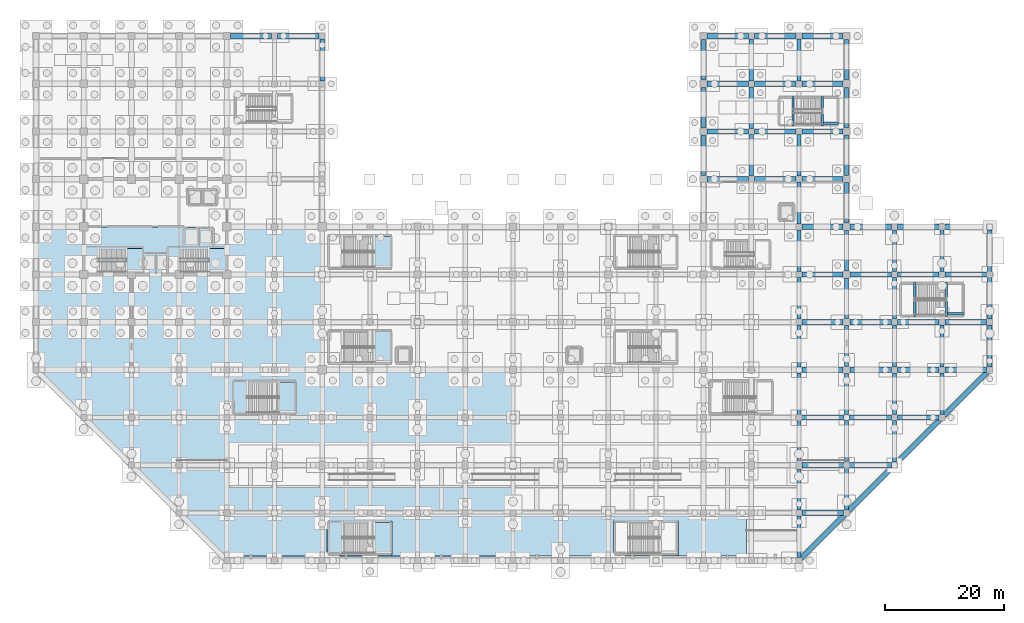
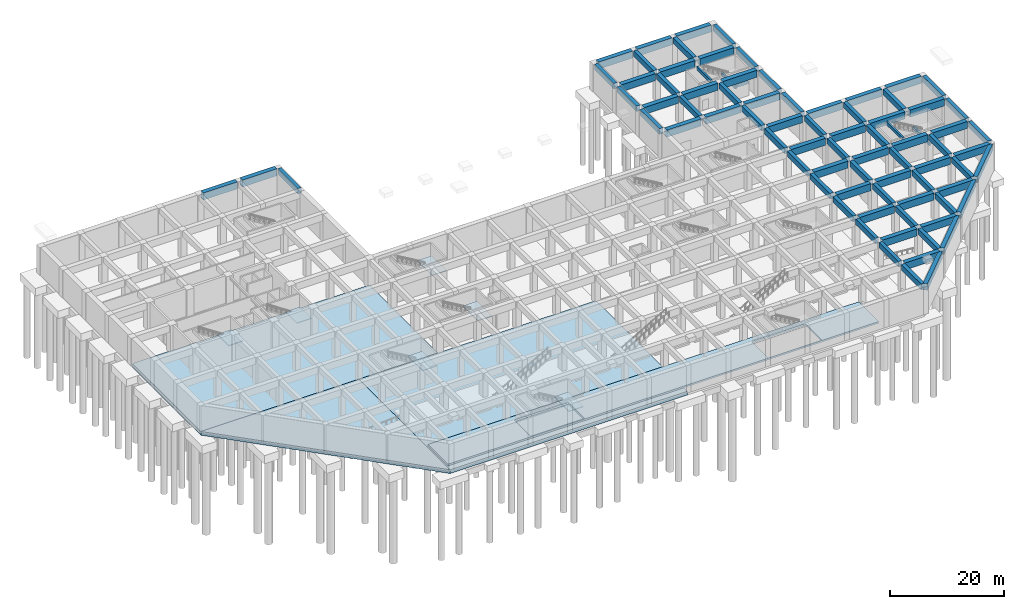
# One storey, part 13 of 26: 84 beams, 10 slabs, 6 elements without a shape of their own.
"""IFC4 building model written with IfcOpenShell, lengths in metres."""

from ifc_helpers import new_model, si_unit, direction, frame, origin, origin_2d, place, context, subcontext, project, spatial, polyline, rectangle, outline, extrude, material, layer, layer_set, material_profile, profile_set, type_object, element, aggregate, save


model = new_model("IFC4")

# Units and contexts
model_context = context("Model", 3, precision=1e-05, world=origin(), true_north=direction((0.0, 1.0)))
body_context = subcontext(model_context, "Body", "Model", "MODEL_VIEW")
ifc_project = project(units=[si_unit("LENGTHUNIT", "METRE"), si_unit("AREAUNIT", "SQUARE_METRE"), si_unit("VOLUMEUNIT", "CUBIC_METRE"), si_unit("PLANEANGLEUNIT", "RADIAN"), si_unit("MASSUNIT", "GRAM", prefix="KILO")], contexts=[model_context])

# Site, building, storey
site_placement = place(None, origin())
site = spatial("IfcSite", under=ifc_project, at=site_placement, CompositionType="ELEMENT")
building_placement = place(site_placement, origin())
building = spatial("IfcBuilding", under=site, at=building_placement, Name="Varnela Railside Interchange", CompositionType="ELEMENT")
storey_placement = place(building_placement, frame((0.0, 0.0, -12.60009765625)))
storey = spatial("IfcBuildingStorey", under=building, at=storey_placement, Name="B2", CompositionType="ELEMENT", Elevation=-12.60009765625)

# Beams
ifc_material_1 = material(Name="Concrete C50", Category="concrete")
ifc_material_profile_1 = material_profile(ifc_material_1, rectangle(XDim=0.800048828125, YDim=1.39990234375, at=origin_2d()), Name="RC 800x1400")
ifc_profile_set_1 = profile_set([ifc_material_profile_1], Name="Concrete C50")
beam_type_1 = type_object("IfcBeamType", Name="Bus Deck Portal Girder B-10", PredefinedType="BEAM", material=ifc_profile_set_1)
for number, where, z_axis, x_axis, name in (
    (1, (132.353515625, 6.353515625, 5.2001953125), (0.707106781187, 0.707106781187, 0.0), (-0.707106781187, 0.707106781187, 0.0), "Bus Deck Portal Girder B-10 (B2) (BM-0340)"),
    (2, (140.353515625, 14.353515625, 5.2001953125), (0.707106781187, 0.707106781187, 0.0), (-0.707106781187, 0.707106781187, 0.0), "Bus Deck Portal Girder B-10 (B2) (BM-0341)"),
    (3, (148.353515625, 22.353515625, 5.2001953125), (0.707106781187, 0.707106781187, 0.0), (-0.707106781187, 0.707106781187, 0.0), "Bus Deck Portal Girder B-10 (B2) (BM-0342)"),
    (4, (156.353515625, 30.353515625, 5.2001953125), (0.707106781187, 0.707106781187, 0.0), (-0.707106781187, 0.707106781187, 0.0), "Bus Deck Portal Girder B-10 (B2) (BM-0343)"),
):
    element("IfcBeam", number, at=place(storey_placement, frame(where, z_axis=z_axis, x_axis=x_axis)), inside=storey, type_object=beam_type_1, Name=name, PredefinedType="BEAM", context=body_context, shape_type="SweptSolid", body=[
        extrude(rectangle(XDim=0.800048828125, YDim=1.39990234375, at=origin_2d()), origin(), (0.0, 0.0, 1.0), 10.313720703125),
    ])
ifc_material_2 = material(Name="Concrete C40", Category="concrete")
ifc_material_profile_2 = material_profile(ifc_material_2, rectangle(XDim=0.39990234375, YDim=0.699951171875, at=origin_2d()), Name="RC 400x700")
ifc_profile_set_2 = profile_set([ifc_material_profile_2], Name="Concrete C40")
beam_type_2 = type_object("IfcBeamType", Name="Concrete Tie Beam B-01", PredefinedType="BEAM", material=ifc_profile_set_2)
for number, where, z_axis, x_axis, name in (
    (5, (131.0, 78.919921875, 5.550048828125), (0.0, 1.0, 0.0), (-1.0, 0.0, 0.0), "Concrete Tie Beam B-01 (B2) (BM-0387)"),
    (6, (135.929931640625, 78.919921875, 2.64013671875), (0.0, 1.0, 0.0), (-1.0, 0.0, 0.0), "Concrete Tie Beam B-01 (B2) (BM-0373)"),
):
    element("IfcBeam", number, at=place(storey_placement, frame(where, z_axis=z_axis, x_axis=x_axis)), inside=storey, type_object=beam_type_2, Name=name, PredefinedType="BEAM", context=body_context, shape_type="SweptSolid", body=[
        extrude(rectangle(XDim=0.39990234375, YDim=0.699951171875, at=origin_2d()), origin(), (0.0, 0.0, 1.0), 4.9599609375),
    ])
beam_1_placement = place(storey_placement, frame((136.1298828125, 79.39990234375, 2.64013671875), z_axis=(1.0, 0.0, 0.0), x_axis=(0.0, 1.0, 0.0)))
element("IfcBeam", 7, at=beam_1_placement, inside=storey, type_object=beam_type_2, Name="Concrete Tie Beam B-01 (B2) (BM-0359)", PredefinedType="BEAM", context=body_context, shape_type="SweptSolid", body=[
    extrude(rectangle(XDim=0.39990234375, YDim=0.699951171875, at=origin_2d()), origin(), (0.0, 0.0, 1.0), 2.490234375),
])
for number, where, z_axis, x_axis, name in (
    (8, (151.39990234375, 46.919921875, 5.550048828125), (0.0, 1.0, 0.0), (-1.0, 0.0, 0.0), "Concrete Tie Beam B-01 (B2) (BM-0388)"),
    (9, (156.7548828125, 46.919921875, 2.64013671875), (0.0, 1.0, 0.0), (-1.0, 0.0, 0.0), "Concrete Tie Beam B-01 (B2) (BM-0374)"),
):
    element("IfcBeam", number, at=place(storey_placement, frame(where, z_axis=z_axis, x_axis=x_axis)), inside=storey, type_object=beam_type_2, Name=name, PredefinedType="BEAM", context=body_context, shape_type="SweptSolid", body=[
        extrude(rectangle(XDim=0.39990234375, YDim=0.699951171875, at=origin_2d()), origin(), (0.0, 0.0, 1.0), 5.760009765625),
    ])
beam_2_placement = place(storey_placement, frame((156.955078125, 47.39990234375, 2.64013671875), z_axis=(1.0, 0.0, 0.0), x_axis=(0.0, 1.0, 0.0)))
element("IfcBeam", 10, at=beam_2_placement, inside=storey, type_object=beam_type_2, Name="Concrete Tie Beam B-01 (B2) (BM-0360)", PredefinedType="BEAM", context=body_context, shape_type="SweptSolid", body=[
    extrude(rectangle(XDim=0.39990234375, YDim=0.699951171875, at=origin_2d()), origin(), (0.0, 0.0, 1.0), 2.6650390625),
])
ifc_material_profile_3 = material_profile(ifc_material_1, rectangle(XDim=0.89990234375, YDim=1.5, at=origin_2d()), Name="RC 900x1500")
ifc_profile_set_3 = profile_set([ifc_material_profile_3], Name="Concrete C50")
beam_type_3 = type_object("IfcBeamType", Name="Metro Trackway Girder B-11", PredefinedType="BEAM", material=ifc_profile_set_3)
for number, where, z_axis, x_axis, name in (
    (11, (132.5, 14.0, 5.150146484375), (1.0, 0.0, 0.0), (0.0, 1.0, 0.0), "Metro Trackway Girder B-11 (B2) (BM-0040)"),
    (12, (132.5, 22.0, 5.150146484375), (1.0, 0.0, 0.0), (0.0, 1.0, 0.0), "Metro Trackway Girder B-11 (B2) (BM-0054)"),
    (13, (140.5, 22.0, 5.150146484375), (1.0, 0.0, 0.0), (0.0, 1.0, 0.0), "Metro Trackway Girder B-11 (B2) (BM-0055)"),
    (14, (132.5, 30.0, 5.150146484375), (1.0, 0.0, 0.0), (0.0, 1.0, 0.0), "Metro Trackway Girder B-11 (B2) (BM-0071)"),
    (15, (140.5, 30.0, 5.150146484375), (1.0, 0.0, 0.0), (0.0, 1.0, 0.0), "Metro Trackway Girder B-11 (B2) (BM-0072)"),
    (16, (148.5, 30.0, 5.150146484375), (1.0, 0.0, 0.0), (0.0, 1.0, 0.0), "Metro Trackway Girder B-11 (B2) (BM-0073)"),
):
    element("IfcBeam", number, at=place(storey_placement, frame(where, z_axis=z_axis, x_axis=x_axis)), inside=storey, type_object=beam_type_3, Name=name, PredefinedType="BEAM", context=body_context, shape_type="SweptSolid", body=[
        extrude(rectangle(XDim=0.89990234375, YDim=1.5, at=origin_2d()), origin(), (0.0, 0.0, 1.0), 7.0),
    ])
for number, where, z_axis, x_axis, name in (
    (17, (132.5, 38.0, 5.150146484375), (1.0, 0.0, 0.0), (0.0, 1.0, 0.0), "Metro Trackway Girder B-11 (B2) (BM-0089)"),
    (18, (140.60009765625, 38.0, 5.150146484375), (1.0, 0.0, 0.0), (0.0, 1.0, 0.0), "Metro Trackway Girder B-11 (B2) (BM-0090)"),
):
    element("IfcBeam", number, at=place(storey_placement, frame(where, z_axis=z_axis, x_axis=x_axis)), inside=storey, type_object=beam_type_3, Name=name, PredefinedType="BEAM", context=body_context, shape_type="SweptSolid", body=[
        extrude(rectangle(XDim=0.89990234375, YDim=1.5, at=origin_2d()), origin(), (0.0, 0.0, 1.0), 6.89990234375),
    ])
for number, where, z_axis, x_axis, name in (
    (19, (148.5, 38.0, 5.150146484375), (1.0, 0.0, 0.0), (0.0, 1.0, 0.0), "Metro Trackway Girder B-11 (B2) (BM-0091)"),
    (20, (156.5, 38.0, 5.150146484375), (1.0, 0.0, 0.0), (0.0, 1.0, 0.0), "Metro Trackway Girder B-11 (B2) (BM-0092)"),
):
    element("IfcBeam", number, at=place(storey_placement, frame(where, z_axis=z_axis, x_axis=x_axis)), inside=storey, type_object=beam_type_3, Name=name, PredefinedType="BEAM", context=body_context, shape_type="SweptSolid", body=[
        extrude(rectangle(XDim=0.89990234375, YDim=1.5, at=origin_2d()), origin(), (0.0, 0.0, 1.0), 7.0),
    ])
for number, where, z_axis, x_axis, name in (
    (21, (132.5, 46.0, 5.150146484375), (1.0, 0.0, 0.0), (0.0, 1.0, 0.0), "Metro Trackway Girder B-11 (B2) (BM-0109)"),
    (22, (140.60009765625, 46.0, 5.150146484375), (1.0, 0.0, 0.0), (0.0, 1.0, 0.0), "Metro Trackway Girder B-11 (B2) (BM-0110)"),
):
    element("IfcBeam", number, at=place(storey_placement, frame(where, z_axis=z_axis, x_axis=x_axis)), inside=storey, type_object=beam_type_3, Name=name, PredefinedType="BEAM", context=body_context, shape_type="SweptSolid", body=[
        extrude(rectangle(XDim=0.89990234375, YDim=1.5, at=origin_2d()), origin(), (0.0, 0.0, 1.0), 6.89990234375),
    ])
for number, where, z_axis, x_axis, name in (
    (23, (148.5, 46.0, 5.150146484375), (1.0, 0.0, 0.0), (0.0, 1.0, 0.0), "Metro Trackway Girder B-11 (B2) (BM-0111)"),
    (24, (156.5, 46.0, 5.150146484375), (1.0, 0.0, 0.0), (0.0, 1.0, 0.0), "Metro Trackway Girder B-11 (B2) (BM-0112)"),
):
    element("IfcBeam", number, at=place(storey_placement, frame(where, z_axis=z_axis, x_axis=x_axis)), inside=storey, type_object=beam_type_3, Name=name, PredefinedType="BEAM", context=body_context, shape_type="SweptSolid", body=[
        extrude(rectangle(XDim=0.89990234375, YDim=1.5, at=origin_2d()), origin(), (0.0, 0.0, 1.0), 7.0),
    ])
for number, where, z_axis, x_axis, name in (
    (25, (132.5, 54.0, 5.150146484375), (1.0, 0.0, 0.0), (0.0, 1.0, 0.0), "Metro Trackway Girder B-11 (B2) (BM-0128)"),
    (26, (140.60009765625, 54.0, 5.150146484375), (1.0, 0.0, 0.0), (0.0, 1.0, 0.0), "Metro Trackway Girder B-11 (B2) (BM-0129)"),
):
    element("IfcBeam", number, at=place(storey_placement, frame(where, z_axis=z_axis, x_axis=x_axis)), inside=storey, type_object=beam_type_3, Name=name, PredefinedType="BEAM", context=body_context, shape_type="SweptSolid", body=[
        extrude(rectangle(XDim=0.89990234375, YDim=1.5, at=origin_2d()), origin(), (0.0, 0.0, 1.0), 6.89990234375),
    ])
for number, where, z_axis, x_axis, name in (
    (27, (148.5, 54.0, 5.150146484375), (1.0, 0.0, 0.0), (0.0, 1.0, 0.0), "Metro Trackway Girder B-11 (B2) (BM-0130)"),
    (28, (156.5, 54.0, 5.150146484375), (1.0, 0.0, 0.0), (0.0, 1.0, 0.0), "Metro Trackway Girder B-11 (B2) (BM-0131)"),
):
    element("IfcBeam", number, at=place(storey_placement, frame(where, z_axis=z_axis, x_axis=x_axis)), inside=storey, type_object=beam_type_3, Name=name, PredefinedType="BEAM", context=body_context, shape_type="SweptSolid", body=[
        extrude(rectangle(XDim=0.89990234375, YDim=1.5, at=origin_2d()), origin(), (0.0, 0.0, 1.0), 7.0),
    ])
for number, where, z_axis, x_axis, name in (
    (29, (132.5, 62.0, 5.150146484375), (1.0, 0.0, 0.0), (0.0, 1.0, 0.0), "Metro Trackway Girder B-11 (B2) (BM-0145)"),
    (30, (140.60009765625, 62.0, 5.150146484375), (1.0, 0.0, 0.0), (0.0, 1.0, 0.0), "Metro Trackway Girder B-11 (B2) (BM-0146)"),
):
    element("IfcBeam", number, at=place(storey_placement, frame(where, z_axis=z_axis, x_axis=x_axis)), inside=storey, type_object=beam_type_3, Name=name, PredefinedType="BEAM", context=body_context, shape_type="SweptSolid", body=[
        extrude(rectangle(XDim=0.89990234375, YDim=1.5, at=origin_2d()), origin(), (0.0, 0.0, 1.0), 6.89990234375),
    ])
for number, where, z_axis, x_axis, name in (
    (31, (148.5, 62.0, 5.150146484375), (1.0, 0.0, 0.0), (0.0, 1.0, 0.0), "Metro Trackway Girder B-11 (B2) (BM-0147)"),
    (32, (156.5, 62.0, 5.150146484375), (1.0, 0.0, 0.0), (0.0, 1.0, 0.0), "Metro Trackway Girder B-11 (B2) (BM-0148)"),
):
    element("IfcBeam", number, at=place(storey_placement, frame(where, z_axis=z_axis, x_axis=x_axis)), inside=storey, type_object=beam_type_3, Name=name, PredefinedType="BEAM", context=body_context, shape_type="SweptSolid", body=[
        extrude(rectangle(XDim=0.89990234375, YDim=1.5, at=origin_2d()), origin(), (0.0, 0.0, 1.0), 7.0),
    ])
beam_3_placement = place(storey_placement, frame((116.60009765625, 70.0, 5.150146484375), z_axis=(1.0, 0.0, 0.0), x_axis=(0.0, 1.0, 0.0)))
element("IfcBeam", 33, at=beam_3_placement, inside=storey, type_object=beam_type_3, Name="Metro Trackway Girder B-11 (B2) (BM-0158)", PredefinedType="BEAM", context=body_context, shape_type="SweptSolid", body=[
    extrude(rectangle(XDim=0.89990234375, YDim=1.5, at=origin_2d()), origin(), (0.0, 0.0, 1.0), 6.89990234375),
])
beam_4_placement = place(storey_placement, frame((124.5, 70.0, 5.150146484375), z_axis=(1.0, 0.0, 0.0), x_axis=(0.0, 1.0, 0.0)))
element("IfcBeam", 34, at=beam_4_placement, inside=storey, type_object=beam_type_3, Name="Metro Trackway Girder B-11 (B2) (BM-0159)", PredefinedType="BEAM", context=body_context, shape_type="SweptSolid", body=[
    extrude(rectangle(XDim=0.89990234375, YDim=1.5, at=origin_2d()), origin(), (0.0, 0.0, 1.0), 7.0),
])
for number, where, z_axis, x_axis, name in (
    (35, (132.5, 70.0, 5.150146484375), (1.0, 0.0, 0.0), (0.0, 1.0, 0.0), "Metro Trackway Girder B-11 (B2) (BM-0160)"),
    (36, (116.60009765625, 78.0, 5.150146484375), (1.0, 0.0, 0.0), (0.0, 1.0, 0.0), "Metro Trackway Girder B-11 (B2) (BM-0164)"),
):
    element("IfcBeam", number, at=place(storey_placement, frame(where, z_axis=z_axis, x_axis=x_axis)), inside=storey, type_object=beam_type_3, Name=name, PredefinedType="BEAM", context=body_context, shape_type="SweptSolid", body=[
        extrude(rectangle(XDim=0.89990234375, YDim=1.5, at=origin_2d()), origin(), (0.0, 0.0, 1.0), 6.89990234375),
    ])
beam_5_placement = place(storey_placement, frame((124.5, 78.0, 5.150146484375), z_axis=(1.0, 0.0, 0.0), x_axis=(0.0, 1.0, 0.0)))
element("IfcBeam", 37, at=beam_5_placement, inside=storey, type_object=beam_type_3, Name="Metro Trackway Girder B-11 (B2) (BM-0165)", PredefinedType="BEAM", context=body_context, shape_type="SweptSolid", body=[
    extrude(rectangle(XDim=0.89990234375, YDim=1.5, at=origin_2d()), origin(), (0.0, 0.0, 1.0), 7.0),
])
for number, where, z_axis, x_axis, name in (
    (38, (132.5, 78.0, 5.150146484375), (1.0, 0.0, 0.0), (0.0, 1.0, 0.0), "Metro Trackway Girder B-11 (B2) (BM-0167)"),
    (39, (116.60009765625, 86.0, 5.150146484375), (1.0, 0.0, 0.0), (0.0, 1.0, 0.0), "Metro Trackway Girder B-11 (B2) (BM-0173)"),
):
    element("IfcBeam", number, at=place(storey_placement, frame(where, z_axis=z_axis, x_axis=x_axis)), inside=storey, type_object=beam_type_3, Name=name, PredefinedType="BEAM", context=body_context, shape_type="SweptSolid", body=[
        extrude(rectangle(XDim=0.89990234375, YDim=1.5, at=origin_2d()), origin(), (0.0, 0.0, 1.0), 6.89990234375),
    ])
beam_6_placement = place(storey_placement, frame((124.5, 86.0, 5.150146484375), z_axis=(1.0, 0.0, 0.0), x_axis=(0.0, 1.0, 0.0)))
element("IfcBeam", 40, at=beam_6_placement, inside=storey, type_object=beam_type_3, Name="Metro Trackway Girder B-11 (B2) (BM-0174)", PredefinedType="BEAM", context=body_context, shape_type="SweptSolid", body=[
    extrude(rectangle(XDim=0.89990234375, YDim=1.5, at=origin_2d()), origin(), (0.0, 0.0, 1.0), 7.0),
])
for number, where, z_axis, x_axis, name in (
    (41, (132.5, 86.0, 5.150146484375), (1.0, 0.0, 0.0), (0.0, 1.0, 0.0), "Metro Trackway Girder B-11 (B2) (BM-0176)"),
    (42, (36.60009765625, 94.0, 5.150146484375), (1.0, 0.0, 0.0), (0.0, 1.0, 0.0), "Metro Trackway Girder B-11 (B2) (BM-0188)"),
):
    element("IfcBeam", number, at=place(storey_placement, frame(where, z_axis=z_axis, x_axis=x_axis)), inside=storey, type_object=beam_type_3, Name=name, PredefinedType="BEAM", context=body_context, shape_type="SweptSolid", body=[
        extrude(rectangle(XDim=0.89990234375, YDim=1.5, at=origin_2d()), origin(), (0.0, 0.0, 1.0), 6.89990234375),
    ])
beam_7_placement = place(storey_placement, frame((44.5, 94.0, 5.150146484375), z_axis=(1.0, 0.0, 0.0), x_axis=(0.0, 1.0, 0.0)))
element("IfcBeam", 43, at=beam_7_placement, inside=storey, type_object=beam_type_3, Name="Metro Trackway Girder B-11 (B2) (BM-0189)", PredefinedType="BEAM", context=body_context, shape_type="SweptSolid", body=[
    extrude(rectangle(XDim=0.89990234375, YDim=1.5, at=origin_2d()), origin(), (0.0, 0.0, 1.0), 7.0),
])
beam_8_placement = place(storey_placement, frame((116.60009765625, 94.0, 5.150146484375), z_axis=(1.0, 0.0, 0.0), x_axis=(0.0, 1.0, 0.0)))
element("IfcBeam", 44, at=beam_8_placement, inside=storey, type_object=beam_type_3, Name="Metro Trackway Girder B-11 (B2) (BM-0182)", PredefinedType="BEAM", context=body_context, shape_type="SweptSolid", body=[
    extrude(rectangle(XDim=0.89990234375, YDim=1.5, at=origin_2d()), origin(), (0.0, 0.0, 1.0), 6.89990234375),
])
beam_9_placement = place(storey_placement, frame((124.5, 94.0, 5.150146484375), z_axis=(1.0, 0.0, 0.0), x_axis=(0.0, 1.0, 0.0)))
element("IfcBeam", 45, at=beam_9_placement, inside=storey, type_object=beam_type_3, Name="Metro Trackway Girder B-11 (B2) (BM-0183)", PredefinedType="BEAM", context=body_context, shape_type="SweptSolid", body=[
    extrude(rectangle(XDim=0.89990234375, YDim=1.5, at=origin_2d()), origin(), (0.0, 0.0, 1.0), 7.0),
])
beam_10_placement = place(storey_placement, frame((132.5, 94.0, 5.150146484375), z_axis=(1.0, 0.0, 0.0), x_axis=(0.0, 1.0, 0.0)))
element("IfcBeam", 46, at=beam_10_placement, inside=storey, type_object=beam_type_3, Name="Metro Trackway Girder B-11 (B2) (BM-0185)", PredefinedType="BEAM", context=body_context, shape_type="SweptSolid", body=[
    extrude(rectangle(XDim=0.89990234375, YDim=1.5, at=origin_2d()), origin(), (0.0, 0.0, 1.0), 6.89990234375),
])
ifc_material_profile_4 = material_profile(ifc_material_1, rectangle(XDim=0.699951171875, YDim=1.199951171875, at=origin_2d()), Name="RC 700x1200")
ifc_profile_set_4 = profile_set([ifc_material_profile_4], Name="Concrete C50")
beam_type_4 = type_object("IfcBeamType", Name="Station Box Main Girder B-08", PredefinedType="BEAM", material=ifc_profile_set_4)
beam_11_placement = place(storey_placement, frame((52.0, 86.5, 5.300048828125), z_axis=(0.0, 1.0, 0.0), x_axis=(-1.0, 0.0, 0.0)))
element("IfcBeam", 47, at=beam_11_placement, inside=storey, type_object=beam_type_4, Name="Station Box Main Girder B-08 (B2) (BM-0329)", PredefinedType="BEAM", context=body_context, shape_type="SweptSolid", body=[
    extrude(rectangle(XDim=0.699951171875, YDim=1.199951171875, at=origin_2d()), origin(), (0.0, 0.0, 1.0), 7.0),
])
for number, where, z_axis, x_axis, name in (
    (48, (116.0, 70.60009765625, 5.300048828125), (0.0, 1.0, 0.0), (-1.0, 0.0, 0.0), "Station Box Main Girder B-08 (B2) (BM-0229)"),
    (49, (116.0, 78.60009765625, 5.300048828125), (0.0, 1.0, 0.0), (-1.0, 0.0, 0.0), "Station Box Main Girder B-08 (B2) (BM-0230)"),
    (50, (116.0, 86.60009765625, 5.300048828125), (0.0, 1.0, 0.0), (-1.0, 0.0, 0.0), "Station Box Main Girder B-08 (B2) (BM-0231)"),
):
    element("IfcBeam", number, at=place(storey_placement, frame(where, z_axis=z_axis, x_axis=x_axis)), inside=storey, type_object=beam_type_4, Name=name, PredefinedType="BEAM", context=body_context, shape_type="SweptSolid", body=[
        extrude(rectangle(XDim=0.699951171875, YDim=1.199951171875, at=origin_2d()), origin(), (0.0, 0.0, 1.0), 6.7998046875),
    ])
for number, where, z_axis, x_axis, name in (
    (51, (124.0, 70.5, 5.300048828125), (0.0, 1.0, 0.0), (-1.0, 0.0, 0.0), "Station Box Main Girder B-08 (B2) (BM-0238)"),
    (52, (124.0, 78.5, 5.300048828125), (0.0, 1.0, 0.0), (-1.0, 0.0, 0.0), "Station Box Main Girder B-08 (B2) (BM-0239)"),
    (53, (124.0, 86.5, 5.300048828125), (0.0, 1.0, 0.0), (-1.0, 0.0, 0.0), "Station Box Main Girder B-08 (B2) (BM-0240)"),
    (54, (132.0, 6.5, 5.300048828125), (0.0, 1.0, 0.0), (-1.0, 0.0, 0.0), "Station Box Main Girder B-08 (B2) (BM-0248)"),
):
    element("IfcBeam", number, at=place(storey_placement, frame(where, z_axis=z_axis, x_axis=x_axis)), inside=storey, type_object=beam_type_4, Name=name, PredefinedType="BEAM", context=body_context, shape_type="SweptSolid", body=[
        extrude(rectangle(XDim=0.699951171875, YDim=1.199951171875, at=origin_2d()), origin(), (0.0, 0.0, 1.0), 7.0),
    ])
for number, where, z_axis, x_axis, name in (
    (55, (132.0, 14.5, 5.300048828125), (0.0, 1.0, 0.0), (-1.0, 0.0, 0.0), "Station Box Main Girder B-08 (B2) (BM-0241)"),
    (56, (132.0, 22.699951171875, 5.300048828125), (0.0, 1.0, 0.0), (-1.0, 0.0, 0.0), "Station Box Main Girder B-08 (B2) (BM-0242)"),
):
    element("IfcBeam", number, at=place(storey_placement, frame(where, z_axis=z_axis, x_axis=x_axis)), inside=storey, type_object=beam_type_4, Name=name, PredefinedType="BEAM", context=body_context, shape_type="SweptSolid", body=[
        extrude(rectangle(XDim=0.699951171875, YDim=1.199951171875, at=origin_2d()), origin(), (0.0, 0.0, 1.0), 6.800048828125),
    ])
for number, where, z_axis, x_axis, name in (
    (57, (132.0, 30.5, 5.300048828125), (0.0, 1.0, 0.0), (-1.0, 0.0, 0.0), "Station Box Main Girder B-08 (B2) (BM-0243)"),
    (58, (132.0, 38.5, 5.300048828125), (0.0, 1.0, 0.0), (-1.0, 0.0, 0.0), "Station Box Main Girder B-08 (B2) (BM-0244)"),
    (59, (132.0, 46.5, 5.300048828125), (0.0, 1.0, 0.0), (-1.0, 0.0, 0.0), "Station Box Main Girder B-08 (B2) (BM-0245)"),
    (60, (132.0, 54.5, 5.300048828125), (0.0, 1.0, 0.0), (-1.0, 0.0, 0.0), "Station Box Main Girder B-08 (B2) (BM-0246)"),
    (61, (132.0, 62.5, 5.300048828125), (0.0, 1.0, 0.0), (-1.0, 0.0, 0.0), "Station Box Main Girder B-08 (B2) (BM-0247)"),
    (62, (132.0, 70.5, 5.300048828125), (0.0, 1.0, 0.0), (-1.0, 0.0, 0.0), "Station Box Main Girder B-08 (B2) (BM-0249)"),
    (63, (132.0, 86.5, 5.300048828125), (0.0, 1.0, 0.0), (-1.0, 0.0, 0.0), "Station Box Main Girder B-08 (B2) (BM-0250)"),
    (64, (140.0, 14.5, 5.300048828125), (0.0, 1.0, 0.0), (-1.0, 0.0, 0.0), "Station Box Main Girder B-08 (B2) (BM-0251)"),
    (65, (140.0, 22.5, 5.300048828125), (0.0, 1.0, 0.0), (-1.0, 0.0, 0.0), "Station Box Main Girder B-08 (B2) (BM-0252)"),
):
    element("IfcBeam", number, at=place(storey_placement, frame(where, z_axis=z_axis, x_axis=x_axis)), inside=storey, type_object=beam_type_4, Name=name, PredefinedType="BEAM", context=body_context, shape_type="SweptSolid", body=[
        extrude(rectangle(XDim=0.699951171875, YDim=1.199951171875, at=origin_2d()), origin(), (0.0, 0.0, 1.0), 7.0),
    ])
beam_12_placement = place(storey_placement, frame((140.0, 30.5, 5.300048828125), z_axis=(0.0, 1.0, 0.0), x_axis=(-1.0, 0.0, 0.0)))
element("IfcBeam", 66, at=beam_12_placement, inside=storey, type_object=beam_type_4, Name="Station Box Main Girder B-08 (B2) (BM-0253)", PredefinedType="BEAM", context=body_context, shape_type="SweptSolid", body=[
    extrude(rectangle(XDim=0.699951171875, YDim=1.199951171875, at=origin_2d()), origin(), (0.0, 0.0, 1.0), 6.89990234375),
])
for number, where, z_axis, x_axis, name in (
    (67, (140.0, 38.60009765625, 5.300048828125), (0.0, 1.0, 0.0), (-1.0, 0.0, 0.0), "Station Box Main Girder B-08 (B2) (BM-0254)"),
    (68, (140.0, 46.60009765625, 5.300048828125), (0.0, 1.0, 0.0), (-1.0, 0.0, 0.0), "Station Box Main Girder B-08 (B2) (BM-0255)"),
    (69, (140.0, 54.60009765625, 5.300048828125), (0.0, 1.0, 0.0), (-1.0, 0.0, 0.0), "Station Box Main Girder B-08 (B2) (BM-0256)"),
    (70, (140.0, 62.60009765625, 5.300048828125), (0.0, 1.0, 0.0), (-1.0, 0.0, 0.0), "Station Box Main Girder B-08 (B2) (BM-0257)"),
    (71, (140.0, 70.60009765625, 5.300048828125), (0.0, 1.0, 0.0), (-1.0, 0.0, 0.0), "Station Box Main Girder B-08 (B2) (BM-0258)"),
    (72, (140.0, 78.60009765625, 5.300048828125), (0.0, 1.0, 0.0), (-1.0, 0.0, 0.0), "Station Box Main Girder B-08 (B2) (BM-0259)"),
    (73, (140.0, 86.60009765625, 5.300048828125), (0.0, 1.0, 0.0), (-1.0, 0.0, 0.0), "Station Box Main Girder B-08 (B2) (BM-0260)"),
):
    element("IfcBeam", number, at=place(storey_placement, frame(where, z_axis=z_axis, x_axis=x_axis)), inside=storey, type_object=beam_type_4, Name=name, PredefinedType="BEAM", context=body_context, shape_type="SweptSolid", body=[
        extrude(rectangle(XDim=0.699951171875, YDim=1.199951171875, at=origin_2d()), origin(), (0.0, 0.0, 1.0), 6.7998046875),
    ])
for number, where, z_axis, x_axis, name in (
    (74, (148.0, 22.5, 5.300048828125), (0.0, 1.0, 0.0), (-1.0, 0.0, 0.0), "Station Box Main Girder B-08 (B2) (BM-0261)"),
    (75, (148.0, 30.5, 5.300048828125), (0.0, 1.0, 0.0), (-1.0, 0.0, 0.0), "Station Box Main Girder B-08 (B2) (BM-0262)"),
    (76, (148.0, 38.5, 5.300048828125), (0.0, 1.0, 0.0), (-1.0, 0.0, 0.0), "Station Box Main Girder B-08 (B2) (BM-0263)"),
    (77, (148.0, 46.5, 5.300048828125), (0.0, 1.0, 0.0), (-1.0, 0.0, 0.0), "Station Box Main Girder B-08 (B2) (BM-0264)"),
    (78, (148.0, 54.5, 5.300048828125), (0.0, 1.0, 0.0), (-1.0, 0.0, 0.0), "Station Box Main Girder B-08 (B2) (BM-0265)"),
    (79, (156.0, 30.5, 5.300048828125), (0.0, 1.0, 0.0), (-1.0, 0.0, 0.0), "Station Box Main Girder B-08 (B2) (BM-0273)"),
    (80, (156.0, 38.5, 5.300048828125), (0.0, 1.0, 0.0), (-1.0, 0.0, 0.0), "Station Box Main Girder B-08 (B2) (BM-0274)"),
    (81, (156.0, 54.5, 5.300048828125), (0.0, 1.0, 0.0), (-1.0, 0.0, 0.0), "Station Box Main Girder B-08 (B2) (BM-0275)"),
    (82, (164.0, 38.5, 5.300048828125), (0.0, 1.0, 0.0), (-1.0, 0.0, 0.0), "Station Box Main Girder B-08 (B2) (BM-0276)"),
    (83, (164.0, 46.5, 5.300048828125), (0.0, 1.0, 0.0), (-1.0, 0.0, 0.0), "Station Box Main Girder B-08 (B2) (BM-0277)"),
    (84, (164.0, 54.5, 5.300048828125), (0.0, 1.0, 0.0), (-1.0, 0.0, 0.0), "Station Box Main Girder B-08 (B2) (BM-0278)"),
):
    element("IfcBeam", number, at=place(storey_placement, frame(where, z_axis=z_axis, x_axis=x_axis)), inside=storey, type_object=beam_type_4, Name=name, PredefinedType="BEAM", context=body_context, shape_type="SweptSolid", body=[
        extrude(rectangle(XDim=0.699951171875, YDim=1.199951171875, at=origin_2d()), origin(), (0.0, 0.0, 1.0), 7.0),
    ])

# Slab
ifc_layer_1 = layer(ifc_material_2, 0.35009765625)
ifc_layer_set_1 = layer_set([ifc_layer_1], Name="Concrete C40")
slab_type_1 = type_object("IfcSlabType", Name="Metro Island Platform Deck Slab SL-PLT", PredefinedType="FLOOR", material=ifc_layer_set_1)
slab_1_placement = place(storey_placement, frame((0.0, 0.0, 0.35009765625)))
element("IfcSlab", 85, at=slab_1_placement, inside=storey, type_object=slab_type_1, Name="Metro Island Platform Deck Slab SL-PLT (B2) (SL-0007)", PredefinedType="FLOOR", context=body_context, shape_type="SweptSolid", body=[
    extrude(outline(polyline([(36.0, 6.800048828125), (123.199951171875, 6.800048828125), (123.199951171875, 13.800048828125), (36.0, 13.800048828125), (36.0, 6.800048828125)]), holes=[polyline([(52.85009765625, 6.949951171875), (63.75, 6.949951171875), (63.75, 12.64990234375), (52.85009765625, 12.64990234375), (52.85009765625, 6.949951171875)]), polyline([(100.85009765625, 6.949951171875), (111.75, 6.949951171875), (111.75, 12.64990234375), (100.85009765625, 12.64990234375), (100.85009765625, 6.949951171875)])]), origin(), (0.0, 0.0, 1.0), 0.35009765625),
])

# Stair, slab
stair_type_1 = type_object("IfcStairType", Name="Core Pressurized Stair ST-165", PredefinedType="TWO_STRAIGHT_RUN_STAIR", material=ifc_material_2)
stair_1_placement = place(storey_placement, origin())
stair_1 = element("IfcStair", 86, at=stair_1_placement, inside=storey, type_object=stair_type_1, Name="Stair ST-T1 (B2) (SF-034)", PredefinedType="TWO_STRAIGHT_RUN_STAIR")
ifc_layer_2 = layer(ifc_material_2, 0.159912109375)
ifc_layer_set_2 = layer_set([ifc_layer_2], Name="Concrete C40")
slab_type_2 = type_object("IfcSlabType", Name="Stair Half-Landing Slab SL-LD", PredefinedType="LANDING", material=ifc_layer_set_2)
slab_2_placement = place(storey_placement, frame((0.0, 0.0, 2.989990234375)))
slab_2 = element("IfcSlab", 87, at=slab_2_placement, type_object=slab_type_2, Name="ST-T1 landing 1 (SL-0025)", PredefinedType="LANDING", context=body_context, shape_type="SweptSolid", body=[
    extrude(outline(polyline([(19.1298828125, 54.39990234375), (22.06005859375, 54.39990234375), (22.06005859375, 58.39990234375), (19.1298828125, 58.39990234375), (19.1298828125, 54.39990234375)])), origin(), (0.0, 0.0, 1.0), 0.16015625),
])
aggregate(stair_1, [slab_2])

stair_2_placement = place(storey_placement, origin())
stair_2 = element("IfcStair", 88, at=stair_2_placement, inside=storey, type_object=stair_type_1, Name="Stair ST-T2 (B2) (SF-037)", PredefinedType="TWO_STRAIGHT_RUN_STAIR")
slab_3_placement = place(storey_placement, frame((0.0, 0.0, 2.989990234375)))
slab_3 = element("IfcSlab", 89, at=slab_3_placement, type_object=slab_type_2, Name="ST-T2 landing 1 (SL-0026)", PredefinedType="LANDING", context=body_context, shape_type="SweptSolid", body=[
    extrude(outline(polyline([(32.929931640625, 54.39990234375), (35.860107421875, 54.39990234375), (35.860107421875, 58.39990234375), (32.929931640625, 58.39990234375), (32.929931640625, 54.39990234375)])), origin(), (0.0, 0.0, 1.0), 0.16015625),
])
aggregate(stair_2, [slab_3])

stair_type_2 = type_object("IfcStairType", Name="Concourse Public Stair ST-235", PredefinedType="TWO_STRAIGHT_RUN_STAIR", material=ifc_material_2)
stair_3_placement = place(storey_placement, origin())
stair_3 = element("IfcStair", 90, at=stair_3_placement, inside=storey, type_object=stair_type_2, Name="Stair ST-C1 (B2) (SF-001)", PredefinedType="TWO_STRAIGHT_RUN_STAIR")
slab_4_placement = place(storey_placement, frame((0.0, 0.0, 2.989990234375)))
slab_4 = element("IfcSlab", 91, at=slab_4_placement, type_object=slab_type_2, Name="ST-C1 landing 1 (SL-0014)", PredefinedType="LANDING", context=body_context, shape_type="SweptSolid", body=[
    extrude(outline(polyline([(60.72509765625, 39.199951171875), (63.659912109375, 39.199951171875), (63.659912109375, 44.39990234375), (60.72509765625, 44.39990234375), (60.72509765625, 39.199951171875)])), origin(), (0.0, 0.0, 1.0), 0.16015625),
])
aggregate(stair_3, [slab_4])

stair_4_placement = place(storey_placement, origin())
stair_4 = element("IfcStair", 92, at=stair_4_placement, inside=storey, type_object=stair_type_2, Name="Stair ST-C3 (B2) (SF-007)", PredefinedType="TWO_STRAIGHT_RUN_STAIR")
slab_5_placement = place(storey_placement, frame((0.0, 0.0, 2.989990234375)))
slab_5 = element("IfcSlab", 93, at=slab_5_placement, type_object=slab_type_2, Name="ST-C3 landing 1 (SL-0016)", PredefinedType="LANDING", context=body_context, shape_type="SweptSolid", body=[
    extrude(outline(polyline([(60.72509765625, 55.199951171875), (63.659912109375, 55.199951171875), (63.659912109375, 60.39990234375), (60.72509765625, 60.39990234375), (60.72509765625, 55.199951171875)])), origin(), (0.0, 0.0, 1.0), 0.16015625),
])
aggregate(stair_4, [slab_5])

stair_5_placement = place(storey_placement, origin())
stair_5 = element("IfcStair", 94, at=stair_5_placement, inside=storey, type_object=stair_type_2, Name="Stair ST-M1 (B2) (SF-022)", PredefinedType="TWO_STRAIGHT_RUN_STAIR")
slab_6_placement = place(storey_placement, frame((0.0, 0.0, 2.989990234375)))
slab_6 = element("IfcSlab", 95, at=slab_6_placement, type_object=slab_type_2, Name="ST-M1 landing 1 (SL-0021)", PredefinedType="LANDING", context=body_context, shape_type="SweptSolid", body=[
    extrude(outline(polyline([(44.72509765625, 30.800048828125), (47.659912109375, 30.800048828125), (47.659912109375, 36.0), (44.72509765625, 36.0), (44.72509765625, 30.800048828125)])), origin(), (0.0, 0.0, 1.0), 0.16015625),
])
aggregate(stair_5, [slab_6])

stair_6_placement = place(storey_placement, origin())
stair_6 = element("IfcStair", 96, at=stair_6_placement, inside=storey, type_object=stair_type_2, Name="Stair ST-M3 (B2) (SF-028)", PredefinedType="TWO_STRAIGHT_RUN_STAIR")
slab_7_placement = place(storey_placement, frame((0.0, 0.0, 2.989990234375)))
slab_7 = element("IfcSlab", 97, at=slab_7_placement, type_object=slab_type_2, Name="ST-M3 landing 1 (SL-0023)", PredefinedType="LANDING", context=body_context, shape_type="SweptSolid", body=[
    extrude(outline(polyline([(60.72509765625, 7.199951171875), (63.659912109375, 7.199951171875), (63.659912109375, 12.39990234375), (60.72509765625, 12.39990234375), (60.72509765625, 7.199951171875)])), origin(), (0.0, 0.0, 1.0), 0.16015625),
])
aggregate(stair_6, [slab_7])

# Slabs
ifc_layer_3 = layer(ifc_material_2, 0.800048828125)
ifc_layer_set_3 = layer_set([ifc_layer_3], Name="Concrete C40")
slab_type_3 = type_object("IfcSlabType", Name="Station Box Base Slab SL-B2", PredefinedType="BASESLAB", material=ifc_layer_set_3)
slab_8_placement = place(storey_placement, frame((0.0, 0.0, -0.7998046875)))
element("IfcSlab", 98, at=slab_8_placement, inside=storey, type_object=slab_type_3, Name="Station Box Base Slab SL-B2 (B2) (SL-0008)", PredefinedType="BASESLAB", context=body_context, shape_type="SweptSolid", body=[
    extrude(outline(polyline([(4.0, 38.0), (36.0, 6.0), (36.0, 38.0), (4.0, 38.0)])), origin(), (0.0, 0.0, 1.0), 0.7998046875),
])
slab_9_placement = place(storey_placement, frame((0.0, 0.0, -0.7998046875)))
element("IfcSlab", 99, at=slab_9_placement, inside=storey, type_object=slab_type_3, Name="Station Box Base Slab SL-B2 (B2) (SL-0009)", PredefinedType="BASESLAB", context=body_context, shape_type="SweptSolid", body=[
    extrude(outline(polyline([(36.0, 6.0), (84.0, 6.0), (84.0, 38.0), (36.0, 38.0), (36.0, 6.0)])), origin(), (0.0, 0.0, 1.0), 0.7998046875),
])
slab_10_placement = place(storey_placement, frame((0.0, 0.0, -0.7998046875)))
element("IfcSlab", 100, at=slab_10_placement, inside=storey, type_object=slab_type_3, Name="Station Box Base Slab SL-B2 (B2) (SL-0012)", PredefinedType="BASESLAB", context=body_context, shape_type="SweptSolid", body=[
    extrude(outline(polyline([(4.0, 38.0), (52.0, 38.0), (52.0, 62.0), (4.0, 62.0), (4.0, 38.0)])), origin(), (0.0, 0.0, 1.0), 0.7998046875),
])

save(model, "model.ifc")
